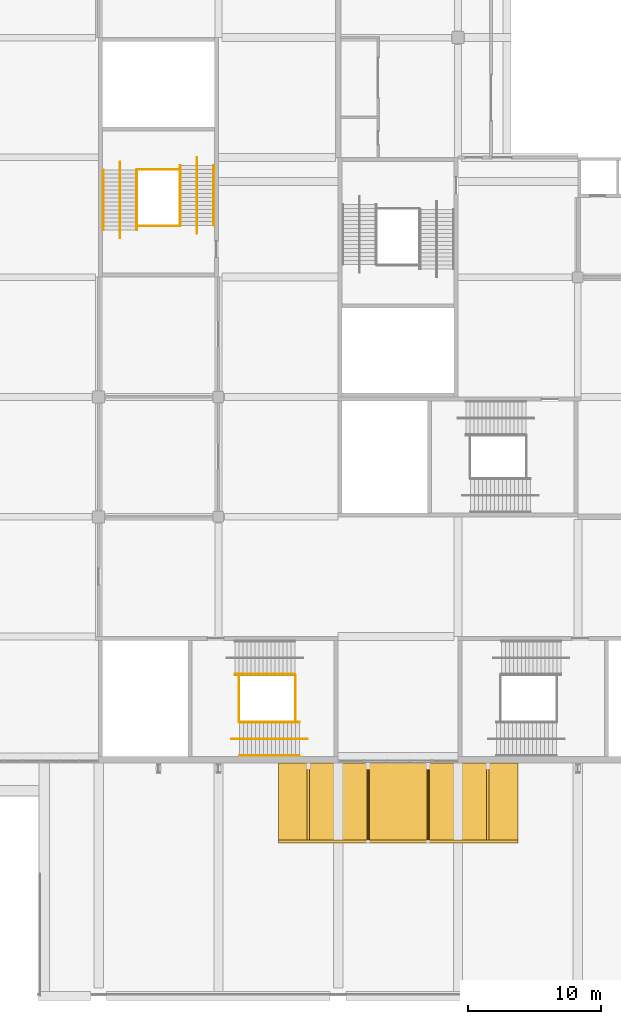
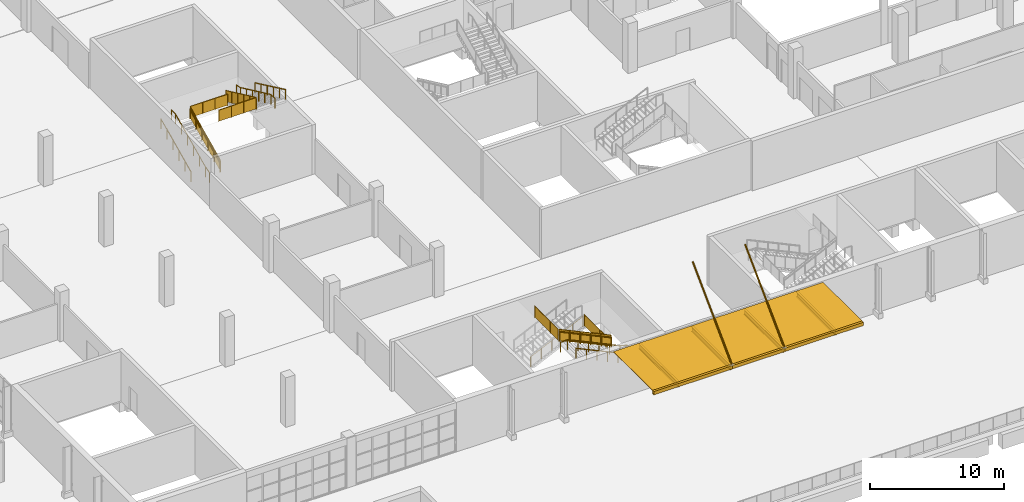
# One storey, part 141 of 168: 17 railings, 10 shading devices.
"""IFC4 building model written with IfcOpenShell, lengths in metres."""

import ifcopenshell
import ifcopenshell.guid

model = None  # the IFC model being written
_history = None  # IfcOwnerHistory: only IFC2X3 demands one
_inside = {}  # id of a spatial element -> (the spatial element, [elements in it])
_under = {}  # id of a project, library or spatial element -> (it, [spatial elements below it])
_declared = {}  # id of a project -> (the project, [libraries it declares])
_typed = {}  # id of a type object -> (the type object, [elements of that type])
_made_of = {}  # id of a material, layer set ... -> (it, [elements and type objects made of it])


def new_model(schema):
    """Start an empty IFC model of exactly this schema.

    Asked for "IFC4X3", IfcOpenShell would pick the latest addendum, in which some entities
    have other attributes; the version numbers below select the first issue.
    IFC2X3 requires an IfcOwnerHistory on every rooted entity: one is made here for all.
    """
    global model, _history
    if schema == "IFC4X3":
        model = ifcopenshell.file(schema_version=(4, 3, 0, 0))
    else:
        model = ifcopenshell.file(schema=schema)
    _inside.clear()
    _under.clear()
    _declared.clear()
    _typed.clear()
    _made_of.clear()
    _history = None
    if model.schema == "IFC2X3":
        org = make("IfcOrganization", Name="unknown")
        user = make(
            "IfcPersonAndOrganization",
            ThePerson=make("IfcPerson", FamilyName="unknown"),
            TheOrganization=org,
        )
        app = make(
            "IfcApplication",
            ApplicationDeveloper=org,
            Version="unknown",
            ApplicationFullName="unknown",
            ApplicationIdentifier="unknown",
        )
        _history = make(
            "IfcOwnerHistory",
            OwningUser=user,
            OwningApplication=app,
            ChangeAction="ADDED",
            CreationDate=0,
        )
    return model


def make(cls, **values):
    """One entity of the class cls with the attributes given. An attribute that is None is left unset."""
    return model.create_entity(
        cls, **{name: value for name, value in values.items() if value is not None}
    )


def rooted(cls, **values):
    """An entity with a GlobalId (a new one), such as an element, a storey or a relation."""
    return make(cls, GlobalId=ifcopenshell.guid.new(), OwnerHistory=_history, **values)


def si_unit(unit_type, name, prefix=None):
    """IfcSIUnit, for example si_unit("LENGTHUNIT", "METRE", prefix="MILLI")."""
    return make("IfcSIUnit", UnitType=unit_type, Prefix=prefix, Name=name)


def assignment(units):
    """IfcUnitAssignment: the units of a project."""
    return None if units is None else make("IfcUnitAssignment", Units=units)


def point(xyz):
    """IfcCartesianPoint."""
    return None if xyz is None else make("IfcCartesianPoint", Coordinates=xyz)


def direction(xyz):
    """IfcDirection."""
    return None if xyz is None else make("IfcDirection", DirectionRatios=xyz)


def frame(location, z_axis=None, x_axis=None):
    """IfcAxis2Placement3D, a coordinate frame: its origin and axes. An axis left out is left unset."""
    return make(
        "IfcAxis2Placement3D",
        Location=point(location),
        Axis=direction(z_axis),
        RefDirection=direction(x_axis),
    )


def frame_2d(location, x_axis=None):
    """IfcAxis2Placement2D, a coordinate frame in the plane: its origin and x axis."""
    return make(
        "IfcAxis2Placement2D", Location=point(location), RefDirection=direction(x_axis)
    )


def origin():
    """The frame at (0, 0, 0) with its axes left unset."""
    return frame((0.0, 0.0, 0.0))


def origin_2d():
    """The frame at (0, 0) in the plane with its x axis left unset."""
    return frame_2d((0.0, 0.0))


def place(relative_to, where):
    """IfcLocalPlacement: puts the frame where relative to a parent placement (None: the world)."""
    return make(
        "IfcLocalPlacement", PlacementRelTo=relative_to, RelativePlacement=where
    )


def context(
    kind, dimensions, precision=None, world=None, true_north=None, identifier=None
):
    """IfcGeometricRepresentationContext, for example the 3D "Model" context."""
    return make(
        "IfcGeometricRepresentationContext",
        ContextIdentifier=identifier,
        ContextType=kind,
        CoordinateSpaceDimension=dimensions,
        Precision=precision,
        WorldCoordinateSystem=world,
        TrueNorth=true_north,
    )


def subcontext(parent, identifier, kind, view, scale=None):
    """IfcGeometricRepresentationSubContext, for example "Body" below "Model"."""
    return make(
        "IfcGeometricRepresentationSubContext",
        ContextIdentifier=identifier,
        ContextType=kind,
        ParentContext=parent,
        TargetScale=scale,
        TargetView=view,
    )


def project(units=None, contexts=None):
    """IfcProject with its units and contexts."""
    return rooted(
        "IfcProject",
        Name="project",
        RepresentationContexts=contexts,
        UnitsInContext=assignment(units),
    )


def spatial(cls, under=None, at=None, **own):
    """A site, building, storey or space (cls), placed at a placement, below another one or the project."""
    s = rooted(cls, ObjectPlacement=at, **own)
    if under is not None:
        _under.setdefault(under.id(), (under, []))[1].append(s)
    return s


def polyline(points):
    """IfcPolyline through the points."""
    return make("IfcPolyline", Points=[point(p) for p in points])


def profile(cls, at=None, kind="AREA", **sizes):
    """A parametric profile (cls). Its sizes go by their IFC names, for example OverallWidth=200.0."""
    return make(cls, ProfileType=kind, Position=at, **sizes)


def rectangle(**sizes):
    """IfcRectangleProfileDef."""
    return profile("IfcRectangleProfileDef", **sizes)


def hollow_rectangle(**sizes):
    """IfcRectangleHollowProfileDef."""
    return profile("IfcRectangleHollowProfileDef", **sizes)


def circle(**sizes):
    """IfcCircleProfileDef."""
    return profile("IfcCircleProfileDef", **sizes)


def hollow_circle(**sizes):
    """IfcCircleHollowProfileDef."""
    return profile("IfcCircleHollowProfileDef", **sizes)


def i_section(**sizes):
    """IfcIShapeProfileDef."""
    return profile("IfcIShapeProfileDef", **sizes)


def outline(outer, holes=None, kind="AREA"):
    """IfcArbitraryClosedProfileDef: a profile drawn as a closed curve; with holes, ...WithVoids."""
    if holes is None:
        return make("IfcArbitraryClosedProfileDef", ProfileType=kind, OuterCurve=outer)
    return make(
        "IfcArbitraryProfileDefWithVoids",
        ProfileType=kind,
        OuterCurve=outer,
        InnerCurves=holes,
    )


def extrude(swept, where, along, depth):
    """IfcExtrudedAreaSolid: the profile swept, set in the frame where, extruded along a direction by depth."""
    return make(
        "IfcExtrudedAreaSolid",
        SweptArea=swept,
        Position=where,
        ExtrudedDirection=direction(along),
        Depth=depth,
    )


def shape(context_of_items, identifier, shape_type, items):
    """IfcShapeRepresentation: the items that make up one representation, for example the "Body"."""
    return make(
        "IfcShapeRepresentation",
        ContextOfItems=context_of_items,
        RepresentationIdentifier=identifier,
        RepresentationType=shape_type,
        Items=items,
    )


def material(Name=None, Category=None):
    """IfcMaterial."""
    return make("IfcMaterial", Name=Name, Category=Category)


def material_profile(
    of_material, cross_section, Name=None, Category=None, Priority=None
):
    """IfcMaterialProfile: a cross section and its material."""
    return make(
        "IfcMaterialProfile",
        Name=Name,
        Material=of_material,
        Profile=cross_section,
        Priority=Priority,
        Category=Category,
    )


def profile_set(profiles, Name=None, composite=None):
    """IfcMaterialProfileSet."""
    return make(
        "IfcMaterialProfileSet",
        Name=Name,
        MaterialProfiles=profiles,
        CompositeProfile=composite,
    )


def made_of(thing, what):
    """Note that an element or type object is made of a material, layer set ...; save() writes the relation."""
    if what is not None:
        _made_of.setdefault(what.id(), (what, []))[1].append(thing)
    return thing


def type_object(cls, material=None, **own):
    """A type object (cls), such as IfcWallType, which elements share."""
    return made_of(rooted(cls, **own), material)


def element(
    cls,
    number,
    at=None,
    inside=None,
    cuts=None,
    type_object=None,
    material=None,
    context=None,
    identifier="Body",
    shape_type=None,
    held_by="IfcProductDefinitionShape",
    body=None,
    shapes=None,
    **own,
):
    """One element of the class cls, such as IfcWall. Its Tag is "e" and its number.

    at: its placement. inside: the storey or other place that contains it. cuts: it is an
    opening in that element (IfcRelVoidsElement). A single representation is given by context,
    identifier, shape_type and body (its items); several are given by shapes. held_by: the class
    of the entity that holds the representations. save() writes the other relations.
    """
    e = rooted(cls, Tag="e%d" % number, ObjectPlacement=at, **own)
    if body is not None:
        shapes = [shape(context, identifier, shape_type, body)]
    if shapes is not None:
        e.Representation = make(held_by, Representations=shapes)
    if inside is not None:
        _inside.setdefault(inside.id(), (inside, []))[1].append(e)
    if cuts is not None:
        rooted(
            "IfcRelVoidsElement", RelatingBuildingElement=cuts, RelatedOpeningElement=e
        )
    if type_object is not None:
        _typed.setdefault(type_object.id(), (type_object, []))[1].append(e)
    return made_of(e, material)


def aggregate(whole, parts):
    """IfcRelAggregates: a whole, such as a stair, and the parts it consists of."""
    return rooted("IfcRelAggregates", RelatingObject=whole, RelatedObjects=parts)


def save(model, path):
    """Write the relations noted so far, then the file.

    IfcRelAggregates (storeys below a building ...), IfcRelContainedInSpatialStructure (elements
    in a storey), IfcRelDefinesByType, IfcRelAssociatesMaterial and IfcRelDeclares: one each for
    every whole, place, type object, material and project.
    """
    for whole, parts in _under.values():
        aggregate(whole, parts)
    for where, things in _inside.values():
        rooted(
            "IfcRelContainedInSpatialStructure",
            RelatedElements=things,
            RelatingStructure=where,
        )
    for kind, things in _typed.values():
        rooted("IfcRelDefinesByType", RelatedObjects=things, RelatingType=kind)
    for what, things in _made_of.values():
        rooted("IfcRelAssociatesMaterial", RelatedObjects=things, RelatingMaterial=what)
    for by, libraries in _declared.values():
        rooted("IfcRelDeclares", RelatingContext=by, RelatedDefinitions=libraries)
    model.write(path)


model = new_model("IFC4")

# Units and contexts
model_context = context("Model", 3, precision=1e-05, world=origin(), true_north=direction((0.0, 1.0)))
body_context = subcontext(model_context, "Body", "Model", "MODEL_VIEW")
ifc_project = project(units=[si_unit("LENGTHUNIT", "METRE"), si_unit("AREAUNIT", "SQUARE_METRE"), si_unit("VOLUMEUNIT", "CUBIC_METRE"), si_unit("PLANEANGLEUNIT", "RADIAN"), si_unit("MASSUNIT", "GRAM", prefix="KILO")], contexts=[model_context])

# Site, building, storey
site_placement = place(None, origin())
site = spatial("IfcSite", under=ifc_project, at=site_placement, CompositionType="ELEMENT")
building_placement = place(site_placement, origin())
building = spatial("IfcBuilding", under=site, at=building_placement, Name="Silverbay Arena", CompositionType="ELEMENT")
storey_placement = place(building_placement, frame((0.0, 0.0, 7.0)))
storey = spatial("IfcBuildingStorey", under=building, at=storey_placement, Name="L01", CompositionType="ELEMENT", Elevation=7.0)

# Shading devices
ifc_material_1 = material(Name="Steel S355", Category="steel")
shading_device_type_1 = type_object("IfcShadingDeviceType", Name="Entrance marquee 6000 x 18000", PredefinedType="AWNING", material=ifc_material_1)
shading_device_1_placement = place(storey_placement, frame((76.5, 14.60009765625, 4.353271484375), z_axis=(0.0, 0.0, 1.0), x_axis=(1.0, 0.0, 0.0)))
element("IfcShadingDevice", 1, at=shading_device_1_placement, inside=storey, type_object=shading_device_type_1, Name="South entrance marquee L01 bay 6", PredefinedType="AWNING", context=body_context, shape_type="SweptSolid", body=[
    extrude(rectangle(XDim=18.0, YDim=5.800048828125, at=origin_2d()), origin(), (0.0, 0.0, 1.0), 0.0400390625),
])
ifc_material_2 = material(Name="Steel S355", Category="steel")
ifc_material_profile_1 = material_profile(ifc_material_2, i_section(OverallWidth=0.18994140625, OverallDepth=0.453369140625, WebThickness=0.008544921875, FlangeThickness=0.0126953125, at=origin_2d()), Name="UB 457x191x67")
ifc_profile_set_1 = profile_set([ifc_material_profile_1], Name="Steel S355")
shading_device_type_2 = type_object("IfcShadingDeviceType", Name="Marquee cantilever beam UB 457x191x67", PredefinedType="USERDEFINED", material=ifc_profile_set_1)
for number, where, z_axis, x_axis, name in (
    (2, (69.75, 17.5, 4.126708984375), (0.0, -1.0, 0.0), (1.0, 0.0, 0.0), "South marquee beam L01 bay 6.1"),
    (3, (74.25, 17.5, 4.126708984375), (0.0, -1.0, 0.0), (1.0, 0.0, 0.0), "South marquee beam L01 bay 6.2"),
    (4, (78.75, 17.5, 4.126708984375), (0.0, -1.0, 0.0), (1.0, 0.0, 0.0), "South marquee beam L01 bay 6.3"),
    (5, (83.25, 17.5, 4.126708984375), (0.0, -1.0, 0.0), (1.0, 0.0, 0.0), "South marquee beam L01 bay 6.4"),
):
    element("IfcShadingDevice", number, at=place(storey_placement, frame(where, z_axis=z_axis, x_axis=x_axis)), inside=storey, type_object=shading_device_type_2, Name=name, ObjectType="MARQUEE FRAME", PredefinedType="USERDEFINED", context=body_context, shape_type="SweptSolid", body=[
        extrude(i_section(OverallWidth=0.18994140625, OverallDepth=0.453369140625, WebThickness=0.008544921875, FlangeThickness=0.0126953125, at=origin_2d()), origin(), (0.0, 0.0, 1.0), 5.800048828125),
    ])
ifc_material_3 = material(Name="Steel S355", Category="steel")
ifc_material_profile_2 = material_profile(ifc_material_3, hollow_rectangle(XDim=0.199951171875, YDim=0.300048828125, WallThickness=0.008056640625, at=origin_2d()), Name="RHS 300x200x8")
ifc_profile_set_2 = profile_set([ifc_material_profile_2], Name="Steel S355")
shading_device_type_3 = type_object("IfcShadingDeviceType", Name="Marquee edge beam RHS 300x200x8", PredefinedType="USERDEFINED", material=ifc_profile_set_2)
shading_device_2_placement = place(storey_placement, frame((67.5, 11.60009765625, 4.243408203125), z_axis=(1.0, 0.0, 0.0), x_axis=(0.0, 1.0, 0.0)))
element("IfcShadingDevice", 6, at=shading_device_2_placement, inside=storey, type_object=shading_device_type_3, Name="South marquee edge beam L01 bay 6.1", ObjectType="MARQUEE FRAME", PredefinedType="USERDEFINED", context=body_context, shape_type="SweptSolid", body=[
    extrude(hollow_rectangle(XDim=0.199951171875, YDim=0.300048828125, WallThickness=0.008056640625, at=origin_2d()), origin(), (0.0, 0.0, 1.0), 6.75),
])
shading_device_3_placement = place(storey_placement, frame((74.25, 11.60009765625, 4.243408203125), z_axis=(1.0, 0.0, 0.0), x_axis=(0.0, 1.0, 0.0)))
element("IfcShadingDevice", 7, at=shading_device_3_placement, inside=storey, type_object=shading_device_type_3, Name="South marquee edge beam L01 bay 6.2", ObjectType="MARQUEE FRAME", PredefinedType="USERDEFINED", context=body_context, shape_type="SweptSolid", body=[
    extrude(hollow_rectangle(XDim=0.199951171875, YDim=0.300048828125, WallThickness=0.008056640625, at=origin_2d()), origin(), (0.0, 0.0, 1.0), 4.5),
])
shading_device_4_placement = place(storey_placement, frame((78.75, 11.60009765625, 4.243408203125), z_axis=(1.0, 0.0, 0.0), x_axis=(0.0, 1.0, 0.0)))
element("IfcShadingDevice", 8, at=shading_device_4_placement, inside=storey, type_object=shading_device_type_3, Name="South marquee edge beam L01 bay 6.3", ObjectType="MARQUEE FRAME", PredefinedType="USERDEFINED", context=body_context, shape_type="SweptSolid", body=[
    extrude(hollow_rectangle(XDim=0.199951171875, YDim=0.300048828125, WallThickness=0.008056640625, at=origin_2d()), origin(), (0.0, 0.0, 1.0), 6.75),
])
ifc_material_4 = material(Name="Steel S355", Category="steel")
ifc_material_profile_3 = material_profile(ifc_material_4, hollow_circle(Radius=0.06982421875, WallThickness=0.008056640625, at=origin_2d()), Name="CHS 139.7x8")
ifc_profile_set_3 = profile_set([ifc_material_profile_3], Name="Steel S355")
shading_device_type_4 = type_object("IfcShadingDeviceType", Name="Marquee tie CHS 139.7x8", PredefinedType="USERDEFINED", material=ifc_profile_set_3)
for number, where, z_axis, x_axis, name in (
    (9, (74.25, 11.60009765625, 4.443359375), (0.0, 0.707091949838, 0.707121612224), (-1.0, 0.0, 0.0), "South marquee tie 1"),
    (10, (78.75, 11.60009765625, 4.443359375), (0.0, 0.707091949838, 0.707121612224), (-1.0, 0.0, 0.0), "South marquee tie 2"),
):
    element("IfcShadingDevice", number, at=place(storey_placement, frame(where, z_axis=z_axis, x_axis=x_axis)), inside=storey, type_object=shading_device_type_4, Name=name, ObjectType="MARQUEE FRAME", PredefinedType="USERDEFINED", context=body_context, shape_type="SweptSolid", body=[
        extrude(hollow_circle(Radius=0.06982421875, WallThickness=0.008056640625, at=origin_2d()), origin(), (0.0, 0.0, 1.0), 8.230712890625),
    ])

# Railings
ifc_material_5 = material(Name="Stainless steel", Category="steel")
railing_type_1 = type_object("IfcRailingType", Name="Stair guard 1100", PredefinedType="GUARDRAIL", material=ifc_material_5)
railing_1_placement = place(storey_placement, frame((69.10009765625, 20.574951171875, 2.390625)))
element("IfcRailing", 11, at=railing_1_placement, inside=storey, type_object=railing_type_1, Name="Stair ST-S5 L01 to L02 flight 2 guard left", PredefinedType="GUARDRAIL", context=body_context, shape_type="SweptSolid", body=[
    extrude(circle(Radius=0.02392578125, at=origin_2d()), frame((0.0, 0.0, 1.076171875), z_axis=(-0.905458935959, 0.0, 0.424433876231), x_axis=(0.0, -1.0, 0.0)), (0.0, 0.0, 1.0), 4.969970703125),
    extrude(outline(polyline([(-0.008056640625, 0.046142578125), (0.907958984375, 0.4755859375), (0.907958984375, 1.478515625), (-0.008056640625, 1.04931640625), (-0.008056640625, 0.046142578125)])), frame((0.0, -0.0029296875, 0.0), z_axis=(0.0, 1.0, 0.0), x_axis=(-1.0, 0.0, 0.0)), (0.0, 0.0, 1.0), 0.006103515625),
    extrude(outline(polyline([(-0.008056640625, 0.468017578125), (0.907958984375, 0.8974609375), (0.907958984375, 1.900390625), (-0.008056640625, 1.47119140625), (-0.008056640625, 0.468017578125)])), frame((-0.89990234375, -0.0029296875, 0.0), z_axis=(0.0, 1.0, 0.0), x_axis=(-1.0, 0.0, 0.0)), (0.0, 0.0, 1.0), 0.006103515625),
    extrude(outline(polyline([(-0.008056640625, 0.889892578125), (0.907958984375, 1.3193359375), (0.907958984375, 2.322265625), (-0.008056640625, 1.89306640625), (-0.008056640625, 0.889892578125)])), frame((-1.800048828125, -0.0029296875, 0.0), z_axis=(0.0, 1.0, 0.0), x_axis=(-1.0, 0.0, 0.0)), (0.0, 0.0, 1.0), 0.006103515625),
    extrude(outline(polyline([(-0.008056640625, 1.311767578125), (0.907958984375, 1.7412109375), (0.907958984375, 2.744140625), (-0.008056640625, 2.31494140625), (-0.008056640625, 1.311767578125)])), frame((-2.699951171875, -0.0029296875, 0.0), z_axis=(0.0, 1.0, 0.0), x_axis=(-1.0, 0.0, 0.0)), (0.0, 0.0, 1.0), 0.006103515625),
    extrude(outline(polyline([(-0.008056640625, 1.733642578125), (0.907958984375, 2.1630859375), (0.907958984375, 3.166015625), (-0.008056640625, 2.73681640625), (-0.008056640625, 1.733642578125)])), frame((-3.60009765625, -0.0029296875, 0.0), z_axis=(0.0, 1.0, 0.0), x_axis=(-1.0, 0.0, 0.0)), (0.0, 0.0, 1.0), 0.006103515625),
    extrude(circle(Radius=0.02099609375, at=origin_2d()), origin(), (0.0, 0.0, 1.0), 1.052001953125),
    extrude(circle(Radius=0.02099609375, at=origin_2d()), frame((-0.89990234375, 0.0, 0.421875)), (0.0, 0.0, 1.0), 1.052001953125),
    extrude(circle(Radius=0.02099609375, at=origin_2d()), frame((-1.800048828125, 0.0, 0.84375)), (0.0, 0.0, 1.0), 1.052001953125),
    extrude(circle(Radius=0.02099609375, at=origin_2d()), frame((-2.699951171875, 0.0, 1.265625)), (0.0, 0.0, 1.0), 1.052001953125),
    extrude(circle(Radius=0.02099609375, at=origin_2d()), frame((-3.60009765625, 0.0, 1.6875)), (0.0, 0.0, 1.0), 1.052001953125),
    extrude(circle(Radius=0.02099609375, at=origin_2d()), frame((-4.5, 0.0, 2.109375)), (0.0, 0.0, 1.0), 1.052001953125),
])
for number, where, name in (
    (12, (68.796630859375, 24.10009765625, 2.25), "Stair ST-S5 L01 to L02 landing 1 guard"),
    (13, (64.550048828125, 24.10009765625, 4.5), "Stair ST-S5 L01 to L02 landing 2 guard"),
):
    element("IfcRailing", number, at=place(storey_placement, frame(where)), inside=storey, type_object=railing_type_1, Name=name, PredefinedType="GUARDRAIL", context=body_context, shape_type="SweptSolid", body=[
        extrude(circle(Radius=0.02392578125, at=origin_2d()), frame((0.0, 0.0, 1.076171875), z_axis=(0.0, -1.0, 0.0), x_axis=(1.0, 0.0, 0.0)), (0.0, 0.0, 1.0), 3.5),
        extrude(outline(polyline([(-0.008056640625, 0.050048828125), (1.174560546875, 0.050048828125), (1.174560546875, 1.052978515625), (-0.008056640625, 1.052978515625), (-0.008056640625, 0.050048828125)])), frame((0.0029296875, 0.0, 0.0), z_axis=(-1.0, 0.0, 0.0), x_axis=(0.0, -1.0, 0.0)), (0.0, 0.0, 1.0), 0.006103515625),
        extrude(outline(polyline([(-0.008056640625, 0.050048828125), (1.174560546875, 0.050048828125), (1.174560546875, 1.052978515625), (-0.008056640625, 1.052978515625), (-0.008056640625, 0.050048828125)])), frame((0.0029296875, -1.166748046875, 0.0), z_axis=(-1.0, 0.0, 0.0), x_axis=(0.0, -1.0, 0.0)), (0.0, 0.0, 1.0), 0.006103515625),
        extrude(outline(polyline([(-0.008056640625, 0.050048828125), (1.174560546875, 0.050048828125), (1.174560546875, 1.052978515625), (-0.008056640625, 1.052978515625), (-0.008056640625, 0.050048828125)])), frame((0.0029296875, -2.333251953125, 0.0), z_axis=(-1.0, 0.0, 0.0), x_axis=(0.0, -1.0, 0.0)), (0.0, 0.0, 1.0), 0.006103515625),
        extrude(circle(Radius=0.02099609375, at=origin_2d()), origin(), (0.0, 0.0, 1.0), 1.052001953125),
        extrude(circle(Radius=0.02099609375, at=origin_2d()), frame((0.0, -1.166748046875, 0.0)), (0.0, 0.0, 1.0), 1.052001953125),
        extrude(circle(Radius=0.02099609375, at=origin_2d()), frame((0.0, -2.333251953125, 0.0)), (0.0, 0.0, 1.0), 1.052001953125),
        extrude(circle(Radius=0.02099609375, at=origin_2d()), frame((0.0, -3.5, 0.0)), (0.0, 0.0, 1.0), 1.052001953125),
    ])
railing_2_placement = place(storey_placement, frame((56.875, 57.546630859375, 0.140625)))
element("IfcRailing", 14, at=railing_2_placement, inside=storey, type_object=railing_type_1, Name="Stair ST-W1 L01 to L02 flight 1 guard left", PredefinedType="GUARDRAIL", context=body_context, shape_type="SweptSolid", body=[
    extrude(circle(Radius=0.02392578125, at=origin_2d()), frame((0.0, 0.0, 1.076171875), z_axis=(0.0, 0.905458935959, 0.424433876231), x_axis=(-1.0, 0.0, 0.0)), (0.0, 0.0, 1.0), 4.969970703125),
    extrude(outline(polyline([(-0.008056640625, 0.046142578125), (0.907958984375, 0.4755859375), (0.907958984375, 1.478515625), (-0.008056640625, 1.04931640625), (-0.008056640625, 0.046142578125)])), frame((-0.0029296875, 0.0, 0.0), z_axis=(1.0, 0.0, 0.0), x_axis=(0.0, 1.0, 0.0)), (0.0, 0.0, 1.0), 0.006103515625),
    extrude(outline(polyline([(-0.008056640625, 0.468017578125), (0.907958984375, 0.8974609375), (0.907958984375, 1.900390625), (-0.008056640625, 1.47119140625), (-0.008056640625, 0.468017578125)])), frame((-0.0029296875, 0.89990234375, 0.0), z_axis=(1.0, 0.0, 0.0), x_axis=(0.0, 1.0, 0.0)), (0.0, 0.0, 1.0), 0.006103515625),
    extrude(outline(polyline([(-0.008056640625, 0.889892578125), (0.907958984375, 1.3193359375), (0.907958984375, 2.322265625), (-0.008056640625, 1.89306640625), (-0.008056640625, 0.889892578125)])), frame((-0.0029296875, 1.800048828125, 0.0), z_axis=(1.0, 0.0, 0.0), x_axis=(0.0, 1.0, 0.0)), (0.0, 0.0, 1.0), 0.006103515625),
    extrude(outline(polyline([(-0.008056640625, 1.311767578125), (0.907958984375, 1.7412109375), (0.907958984375, 2.744140625), (-0.008056640625, 2.31494140625), (-0.008056640625, 1.311767578125)])), frame((-0.0029296875, 2.699951171875, 0.0), z_axis=(1.0, 0.0, 0.0), x_axis=(0.0, 1.0, 0.0)), (0.0, 0.0, 1.0), 0.006103515625),
    extrude(outline(polyline([(-0.008056640625, 1.733642578125), (0.907958984375, 2.1630859375), (0.907958984375, 3.166015625), (-0.008056640625, 2.73681640625), (-0.008056640625, 1.733642578125)])), frame((-0.0029296875, 3.60009765625, 0.0), z_axis=(1.0, 0.0, 0.0), x_axis=(0.0, 1.0, 0.0)), (0.0, 0.0, 1.0), 0.006103515625),
    extrude(circle(Radius=0.02099609375, at=origin_2d()), origin(), (0.0, 0.0, 1.0), 1.052001953125),
    extrude(circle(Radius=0.02099609375, at=origin_2d()), frame((0.0, 0.89990234375, 0.421875)), (0.0, 0.0, 1.0), 1.052001953125),
    extrude(circle(Radius=0.02099609375, at=origin_2d()), frame((0.0, 1.800048828125, 0.84375)), (0.0, 0.0, 1.0), 1.052001953125),
    extrude(circle(Radius=0.02099609375, at=origin_2d()), frame((0.0, 2.699951171875, 1.265625)), (0.0, 0.0, 1.0), 1.052001953125),
    extrude(circle(Radius=0.02099609375, at=origin_2d()), frame((0.0, 3.60009765625, 1.6875)), (0.0, 0.0, 1.0), 1.052001953125),
    extrude(circle(Radius=0.02099609375, at=origin_2d()), frame((0.0, 4.5, 2.109375)), (0.0, 0.0, 1.0), 1.052001953125),
])
railing_3_placement = place(storey_placement, frame((60.125, 62.39990234375, 2.390625)))
element("IfcRailing", 15, at=railing_3_placement, inside=storey, type_object=railing_type_1, Name="Stair ST-W1 L01 to L02 flight 2 guard right", PredefinedType="GUARDRAIL", context=body_context, shape_type="SweptSolid", body=[
    extrude(circle(Radius=0.02392578125, at=origin_2d()), frame((0.0, 0.0, 1.076171875), z_axis=(0.0, -0.905458935959, 0.424433876231), x_axis=(1.0, 0.0, 0.0)), (0.0, 0.0, 1.0), 4.969970703125),
    extrude(outline(polyline([(-0.008056640625, 0.046142578125), (0.907958984375, 0.4755859375), (0.907958984375, 1.478515625), (-0.008056640625, 1.04931640625), (-0.008056640625, 0.046142578125)])), frame((0.0029296875, 0.0, 0.0), z_axis=(-1.0, 0.0, 0.0), x_axis=(0.0, -1.0, 0.0)), (0.0, 0.0, 1.0), 0.006103515625),
    extrude(outline(polyline([(-0.008056640625, 0.468017578125), (0.907958984375, 0.8974609375), (0.907958984375, 1.900390625), (-0.008056640625, 1.47119140625), (-0.008056640625, 0.468017578125)])), frame((0.0029296875, -0.89990234375, 0.0), z_axis=(-1.0, 0.0, 0.0), x_axis=(0.0, -1.0, 0.0)), (0.0, 0.0, 1.0), 0.006103515625),
    extrude(outline(polyline([(-0.008056640625, 0.889892578125), (0.907958984375, 1.3193359375), (0.907958984375, 2.322265625), (-0.008056640625, 1.89306640625), (-0.008056640625, 0.889892578125)])), frame((0.0029296875, -1.800048828125, 0.0), z_axis=(-1.0, 0.0, 0.0), x_axis=(0.0, -1.0, 0.0)), (0.0, 0.0, 1.0), 0.006103515625),
    extrude(outline(polyline([(-0.008056640625, 1.311767578125), (0.907958984375, 1.7412109375), (0.907958984375, 2.744140625), (-0.008056640625, 2.31494140625), (-0.008056640625, 1.311767578125)])), frame((0.0029296875, -2.699951171875, 0.0), z_axis=(-1.0, 0.0, 0.0), x_axis=(0.0, -1.0, 0.0)), (0.0, 0.0, 1.0), 0.006103515625),
    extrude(outline(polyline([(-0.008056640625, 1.733642578125), (0.907958984375, 2.1630859375), (0.907958984375, 3.166015625), (-0.008056640625, 2.73681640625), (-0.008056640625, 1.733642578125)])), frame((0.0029296875, -3.60009765625, 0.0), z_axis=(-1.0, 0.0, 0.0), x_axis=(0.0, -1.0, 0.0)), (0.0, 0.0, 1.0), 0.006103515625),
    extrude(circle(Radius=0.02099609375, at=origin_2d()), origin(), (0.0, 0.0, 1.0), 1.052001953125),
    extrude(circle(Radius=0.02099609375, at=origin_2d()), frame((0.0, -0.89990234375, 0.421875)), (0.0, 0.0, 1.0), 1.052001953125),
    extrude(circle(Radius=0.02099609375, at=origin_2d()), frame((0.0, -1.800048828125, 0.84375)), (0.0, 0.0, 1.0), 1.052001953125),
    extrude(circle(Radius=0.02099609375, at=origin_2d()), frame((0.0, -2.699951171875, 1.265625)), (0.0, 0.0, 1.0), 1.052001953125),
    extrude(circle(Radius=0.02099609375, at=origin_2d()), frame((0.0, -3.60009765625, 1.6875)), (0.0, 0.0, 1.0), 1.052001953125),
    extrude(circle(Radius=0.02099609375, at=origin_2d()), frame((0.0, -4.5, 2.109375)), (0.0, 0.0, 1.0), 1.052001953125),
])
for number, where, name in (
    (16, (60.10009765625, 62.0966796875, 2.25), "Stair ST-W1 L01 to L02 landing 1 guard"),
    (17, (60.10009765625, 57.85009765625, 4.5), "Stair ST-W1 L01 to L02 landing 2 guard"),
):
    element("IfcRailing", number, at=place(storey_placement, frame(where)), inside=storey, type_object=railing_type_1, Name=name, PredefinedType="GUARDRAIL", context=body_context, shape_type="SweptSolid", body=[
        extrude(circle(Radius=0.02392578125, at=origin_2d()), frame((0.0, 0.0, 1.076171875), z_axis=(-1.0, 0.0, 0.0), x_axis=(0.0, -1.0, 0.0)), (0.0, 0.0, 1.0), 3.2001953125),
        extrude(outline(polyline([(-0.008056640625, 0.050048828125), (1.07470703125, 0.050048828125), (1.07470703125, 1.052978515625), (-0.008056640625, 1.052978515625), (-0.008056640625, 0.050048828125)])), frame((0.0, -0.0029296875, 0.0), z_axis=(0.0, 1.0, 0.0), x_axis=(-1.0, 0.0, 0.0)), (0.0, 0.0, 1.0), 0.006103515625),
        extrude(outline(polyline([(-0.008056640625, 0.050048828125), (1.07470703125, 0.050048828125), (1.07470703125, 1.052978515625), (-0.008056640625, 1.052978515625), (-0.008056640625, 0.050048828125)])), frame((-1.066650390625, -0.0029296875, 0.0), z_axis=(0.0, 1.0, 0.0), x_axis=(-1.0, 0.0, 0.0)), (0.0, 0.0, 1.0), 0.006103515625),
        extrude(outline(polyline([(-0.008056640625, 0.050048828125), (1.07470703125, 0.050048828125), (1.07470703125, 1.052978515625), (-0.008056640625, 1.052978515625), (-0.008056640625, 0.050048828125)])), frame((-2.133544921875, -0.0029296875, 0.0), z_axis=(0.0, 1.0, 0.0), x_axis=(-1.0, 0.0, 0.0)), (0.0, 0.0, 1.0), 0.006103515625),
        extrude(circle(Radius=0.02099609375, at=origin_2d()), origin(), (0.0, 0.0, 1.0), 1.052001953125),
        extrude(circle(Radius=0.02099609375, at=origin_2d()), frame((-1.066650390625, 0.0, 0.0)), (0.0, 0.0, 1.0), 1.052001953125),
        extrude(circle(Radius=0.02099609375, at=origin_2d()), frame((-2.133544921875, 0.0, 0.0)), (0.0, 0.0, 1.0), 1.052001953125),
        extrude(circle(Radius=0.02099609375, at=origin_2d()), frame((-3.2001953125, 0.0, 0.0)), (0.0, 0.0, 1.0), 1.052001953125),
    ])
ifc_material_6 = material(Name="Stainless steel", Category="steel")
railing_type_2 = type_object("IfcRailingType", Name="Stair handrail 900", PredefinedType="HANDRAIL", material=ifc_material_6)
railing_4_placement = place(storey_placement, frame((64.24658203125, 24.1640625, 0.140625)))
element("IfcRailing", 18, at=railing_4_placement, inside=storey, type_object=railing_type_2, Name="Stair ST-S5 L01 to L02 flight 1 handrail right", PredefinedType="HANDRAIL", context=body_context, shape_type="SweptSolid", body=[
    extrude(circle(Radius=0.02392578125, at=origin_2d()), frame((0.0, 0.0, 0.8759765625), z_axis=(0.905458935959, 0.0, 0.424433876231), x_axis=(0.0, 1.0, 0.0)), (0.0, 0.0, 1.0), 4.969970703125),
    extrude(circle(Radius=0.02099609375, at=origin_2d()), origin(), (0.0, 0.0, 1.0), 0.851806640625),
    extrude(circle(Radius=0.02099609375, at=origin_2d()), frame((0.89990234375, 0.0, 0.421875)), (0.0, 0.0, 1.0), 0.851806640625),
    extrude(circle(Radius=0.02099609375, at=origin_2d()), frame((1.800048828125, 0.0, 0.84375)), (0.0, 0.0, 1.0), 0.851806640625),
    extrude(circle(Radius=0.02099609375, at=origin_2d()), frame((2.699951171875, 0.0, 1.265625)), (0.0, 0.0, 1.0), 0.851806640625),
    extrude(circle(Radius=0.02099609375, at=origin_2d()), frame((3.60009765625, 0.0, 1.6875)), (0.0, 0.0, 1.0), 0.851806640625),
    extrude(circle(Radius=0.02099609375, at=origin_2d()), frame((4.5, 0.0, 2.109375)), (0.0, 0.0, 1.0), 0.851806640625),
])
for number, where, name in (
    (19, (69.10009765625, 20.535888671875, 2.390625), "Stair ST-S5 L01 to L02 flight 2 handrail left"),
    (20, (69.10009765625, 18.050048828125, 2.390625), "Stair ST-S5 L01 to L02 flight 2 handrail right"),
):
    element("IfcRailing", number, at=place(storey_placement, frame(where)), inside=storey, type_object=railing_type_2, Name=name, PredefinedType="HANDRAIL", context=body_context, shape_type="SweptSolid", body=[
        extrude(circle(Radius=0.02392578125, at=origin_2d()), frame((0.0, 0.0, 0.8759765625), z_axis=(-0.905458935959, 0.0, 0.424433876231), x_axis=(0.0, -1.0, 0.0)), (0.0, 0.0, 1.0), 4.969970703125),
        extrude(circle(Radius=0.02099609375, at=origin_2d()), origin(), (0.0, 0.0, 1.0), 0.851806640625),
        extrude(circle(Radius=0.02099609375, at=origin_2d()), frame((-0.89990234375, 0.0, 0.421875)), (0.0, 0.0, 1.0), 0.851806640625),
        extrude(circle(Radius=0.02099609375, at=origin_2d()), frame((-1.800048828125, 0.0, 0.84375)), (0.0, 0.0, 1.0), 0.851806640625),
        extrude(circle(Radius=0.02099609375, at=origin_2d()), frame((-2.699951171875, 0.0, 1.265625)), (0.0, 0.0, 1.0), 0.851806640625),
        extrude(circle(Radius=0.02099609375, at=origin_2d()), frame((-3.60009765625, 0.0, 1.6875)), (0.0, 0.0, 1.0), 0.851806640625),
        extrude(circle(Radius=0.02099609375, at=origin_2d()), frame((-4.5, 0.0, 2.109375)), (0.0, 0.0, 1.0), 0.851806640625),
    ])
railing_5_placement = place(storey_placement, frame((69.699951171875, 19.300048828125, 2.25)))
element("IfcRailing", 21, at=railing_5_placement, inside=storey, type_object=railing_type_2, Name="Stair ST-S5 L01 to L02 flight 2 central handrail", PredefinedType="HANDRAIL", context=body_context, shape_type="SweptSolid", body=[
    extrude(circle(Radius=0.02392578125, at=origin_2d()), frame((0.0, 0.0, 0.8759765625), z_axis=(-0.973603928963, 0.0, 0.228244144519), x_axis=(0.0, -1.0, 0.0)), (0.0, 0.0, 1.0), 0.6162109375),
    extrude(circle(Radius=0.02392578125, at=origin_2d()), frame((-0.599853515625, 0.0, 1.0166015625), z_axis=(-0.905458935959, 0.0, 0.424433876231), x_axis=(0.0, -1.0, 0.0)), (0.0, 0.0, 1.0), 4.969970703125),
    extrude(circle(Radius=0.02392578125, at=origin_2d()), frame((-5.099853515625, 0.0, 3.1259765625), z_axis=(-1.0, 0.0, 0.0), x_axis=(0.0, -1.0, 0.0)), (0.0, 0.0, 1.0), 0.60009765625),
    extrude(circle(Radius=0.02099609375, at=origin_2d()), origin(), (0.0, 0.0, 1.0), 0.851806640625),
    extrude(circle(Radius=0.02099609375, at=origin_2d()), frame((-0.599853515625, 0.0, 0.140625)), (0.0, 0.0, 1.0), 0.851806640625),
    extrude(circle(Radius=0.02099609375, at=origin_2d()), frame((-1.499755859375, 0.0, 0.5625)), (0.0, 0.0, 1.0), 0.851806640625),
    extrude(circle(Radius=0.02099609375, at=origin_2d()), frame((-2.39990234375, 0.0, 0.984375)), (0.0, 0.0, 1.0), 0.851806640625),
    extrude(circle(Radius=0.02099609375, at=origin_2d()), frame((-3.2998046875, 0.0, 1.40625)), (0.0, 0.0, 1.0), 0.851806640625),
    extrude(circle(Radius=0.02099609375, at=origin_2d()), frame((-4.199951171875, 0.0, 1.828125)), (0.0, 0.0, 1.0), 0.851806640625),
    extrude(circle(Radius=0.02099609375, at=origin_2d()), frame((-5.099853515625, 0.0, 2.25)), (0.0, 0.0, 1.0), 0.851806640625),
    extrude(circle(Radius=0.02099609375, at=origin_2d()), frame((-5.699951171875, 0.0, 2.25)), (0.0, 0.0, 1.0), 0.851806640625),
])
for number, where, name in (
    (22, (56.8359375, 57.546630859375, 0.140625), "Stair ST-W1 L01 to L02 flight 1 handrail left"),
    (23, (54.35009765625, 57.546630859375, 0.140625), "Stair ST-W1 L01 to L02 flight 1 handrail right"),
):
    element("IfcRailing", number, at=place(storey_placement, frame(where)), inside=storey, type_object=railing_type_2, Name=name, PredefinedType="HANDRAIL", context=body_context, shape_type="SweptSolid", body=[
        extrude(circle(Radius=0.02392578125, at=origin_2d()), frame((0.0, 0.0, 0.8759765625), z_axis=(0.0, 0.905458935959, 0.424433876231), x_axis=(-1.0, 0.0, 0.0)), (0.0, 0.0, 1.0), 4.969970703125),
        extrude(circle(Radius=0.02099609375, at=origin_2d()), origin(), (0.0, 0.0, 1.0), 0.851806640625),
        extrude(circle(Radius=0.02099609375, at=origin_2d()), frame((0.0, 0.89990234375, 0.421875)), (0.0, 0.0, 1.0), 0.851806640625),
        extrude(circle(Radius=0.02099609375, at=origin_2d()), frame((0.0, 1.800048828125, 0.84375)), (0.0, 0.0, 1.0), 0.851806640625),
        extrude(circle(Radius=0.02099609375, at=origin_2d()), frame((0.0, 2.699951171875, 1.265625)), (0.0, 0.0, 1.0), 0.851806640625),
        extrude(circle(Radius=0.02099609375, at=origin_2d()), frame((0.0, 3.60009765625, 1.6875)), (0.0, 0.0, 1.0), 0.851806640625),
        extrude(circle(Radius=0.02099609375, at=origin_2d()), frame((0.0, 4.5, 2.109375)), (0.0, 0.0, 1.0), 0.851806640625),
    ])
railing_6_placement = place(storey_placement, frame((55.60009765625, 56.946533203125, 0.0)))
element("IfcRailing", 24, at=railing_6_placement, inside=storey, type_object=railing_type_2, Name="Stair ST-W1 L01 to L02 flight 1 central handrail", PredefinedType="HANDRAIL", context=body_context, shape_type="SweptSolid", body=[
    extrude(circle(Radius=0.02392578125, at=origin_2d()), frame((0.0, 0.0, 0.8759765625), z_axis=(0.0, 0.973624560196, 0.228156121511), x_axis=(-1.0, 0.0, 0.0)), (0.0, 0.0, 1.0), 0.616455078125),
    extrude(circle(Radius=0.02392578125, at=origin_2d()), frame((0.0, 0.60009765625, 1.0166015625), z_axis=(0.0, 0.905458935959, 0.424433876231), x_axis=(-1.0, 0.0, 0.0)), (0.0, 0.0, 1.0), 4.969970703125),
    extrude(circle(Radius=0.02392578125, at=origin_2d()), frame((0.0, 5.10009765625, 3.1259765625), z_axis=(0.0, 1.0, 0.0), x_axis=(-1.0, 0.0, 0.0)), (0.0, 0.0, 1.0), 0.599853515625),
    extrude(circle(Radius=0.02099609375, at=origin_2d()), origin(), (0.0, 0.0, 1.0), 0.851806640625),
    extrude(circle(Radius=0.02099609375, at=origin_2d()), frame((0.0, 0.60009765625, 0.140625)), (0.0, 0.0, 1.0), 0.851806640625),
    extrude(circle(Radius=0.02099609375, at=origin_2d()), frame((0.0, 1.5, 0.5625)), (0.0, 0.0, 1.0), 0.851806640625),
    extrude(circle(Radius=0.02099609375, at=origin_2d()), frame((0.0, 2.400146484375, 0.984375)), (0.0, 0.0, 1.0), 0.851806640625),
    extrude(circle(Radius=0.02099609375, at=origin_2d()), frame((0.0, 3.300048828125, 1.40625)), (0.0, 0.0, 1.0), 0.851806640625),
    extrude(circle(Radius=0.02099609375, at=origin_2d()), frame((0.0, 4.2001953125, 1.828125)), (0.0, 0.0, 1.0), 0.851806640625),
    extrude(circle(Radius=0.02099609375, at=origin_2d()), frame((0.0, 5.10009765625, 2.25)), (0.0, 0.0, 1.0), 0.851806640625),
    extrude(circle(Radius=0.02099609375, at=origin_2d()), frame((0.0, 5.699951171875, 2.25)), (0.0, 0.0, 1.0), 0.851806640625),
])
for number, where, name in (
    (25, (62.64990234375, 62.39990234375, 2.390625), "Stair ST-W1 L01 to L02 flight 2 handrail left"),
    (26, (60.1640625, 62.39990234375, 2.390625), "Stair ST-W1 L01 to L02 flight 2 handrail right"),
):
    element("IfcRailing", number, at=place(storey_placement, frame(where)), inside=storey, type_object=railing_type_2, Name=name, PredefinedType="HANDRAIL", context=body_context, shape_type="SweptSolid", body=[
        extrude(circle(Radius=0.02392578125, at=origin_2d()), frame((0.0, 0.0, 0.8759765625), z_axis=(0.0, -0.905458935959, 0.424433876231), x_axis=(1.0, 0.0, 0.0)), (0.0, 0.0, 1.0), 4.969970703125),
        extrude(circle(Radius=0.02099609375, at=origin_2d()), origin(), (0.0, 0.0, 1.0), 0.851806640625),
        extrude(circle(Radius=0.02099609375, at=origin_2d()), frame((0.0, -0.89990234375, 0.421875)), (0.0, 0.0, 1.0), 0.851806640625),
        extrude(circle(Radius=0.02099609375, at=origin_2d()), frame((0.0, -1.800048828125, 0.84375)), (0.0, 0.0, 1.0), 0.851806640625),
        extrude(circle(Radius=0.02099609375, at=origin_2d()), frame((0.0, -2.699951171875, 1.265625)), (0.0, 0.0, 1.0), 0.851806640625),
        extrude(circle(Radius=0.02099609375, at=origin_2d()), frame((0.0, -3.60009765625, 1.6875)), (0.0, 0.0, 1.0), 0.851806640625),
        extrude(circle(Radius=0.02099609375, at=origin_2d()), frame((0.0, -4.5, 2.109375)), (0.0, 0.0, 1.0), 0.851806640625),
    ])
railing_7_placement = place(storey_placement, frame((61.39990234375, 63.0, 2.25)))
element("IfcRailing", 27, at=railing_7_placement, inside=storey, type_object=railing_type_2, Name="Stair ST-W1 L01 to L02 flight 2 central handrail", PredefinedType="HANDRAIL", context=body_context, shape_type="SweptSolid", body=[
    extrude(circle(Radius=0.02392578125, at=origin_2d()), frame((0.0, 0.0, 0.8759765625), z_axis=(0.0, -0.973624560196, 0.228156121511), x_axis=(1.0, 0.0, 0.0)), (0.0, 0.0, 1.0), 0.616455078125),
    extrude(circle(Radius=0.02392578125, at=origin_2d()), frame((0.0, -0.60009765625, 1.0166015625), z_axis=(0.0, -0.905458935959, 0.424433876231), x_axis=(1.0, 0.0, 0.0)), (0.0, 0.0, 1.0), 4.969970703125),
    extrude(circle(Radius=0.02392578125, at=origin_2d()), frame((0.0, -5.10009765625, 3.1259765625), z_axis=(0.0, -1.0, 0.0), x_axis=(1.0, 0.0, 0.0)), (0.0, 0.0, 1.0), 0.599853515625),
    extrude(circle(Radius=0.02099609375, at=origin_2d()), origin(), (0.0, 0.0, 1.0), 0.851806640625),
    extrude(circle(Radius=0.02099609375, at=origin_2d()), frame((0.0, -0.60009765625, 0.140625)), (0.0, 0.0, 1.0), 0.851806640625),
    extrude(circle(Radius=0.02099609375, at=origin_2d()), frame((0.0, -1.5, 0.5625)), (0.0, 0.0, 1.0), 0.851806640625),
    extrude(circle(Radius=0.02099609375, at=origin_2d()), frame((0.0, -2.400146484375, 0.984375)), (0.0, 0.0, 1.0), 0.851806640625),
    extrude(circle(Radius=0.02099609375, at=origin_2d()), frame((0.0, -3.300048828125, 1.40625)), (0.0, 0.0, 1.0), 0.851806640625),
    extrude(circle(Radius=0.02099609375, at=origin_2d()), frame((0.0, -4.2001953125, 1.828125)), (0.0, 0.0, 1.0), 0.851806640625),
    extrude(circle(Radius=0.02099609375, at=origin_2d()), frame((0.0, -5.10009765625, 2.25)), (0.0, 0.0, 1.0), 0.851806640625),
    extrude(circle(Radius=0.02099609375, at=origin_2d()), frame((0.0, -5.699951171875, 2.25)), (0.0, 0.0, 1.0), 0.851806640625),
])

save(model, "model.ifc")
